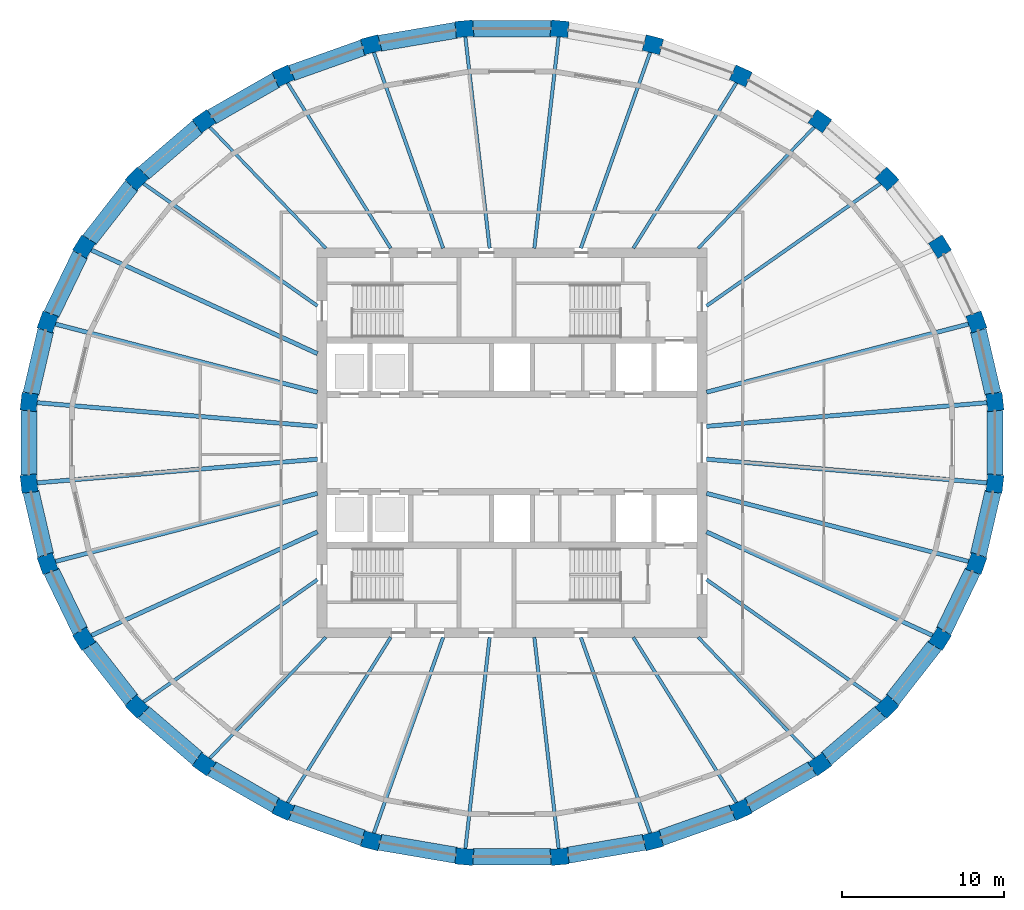
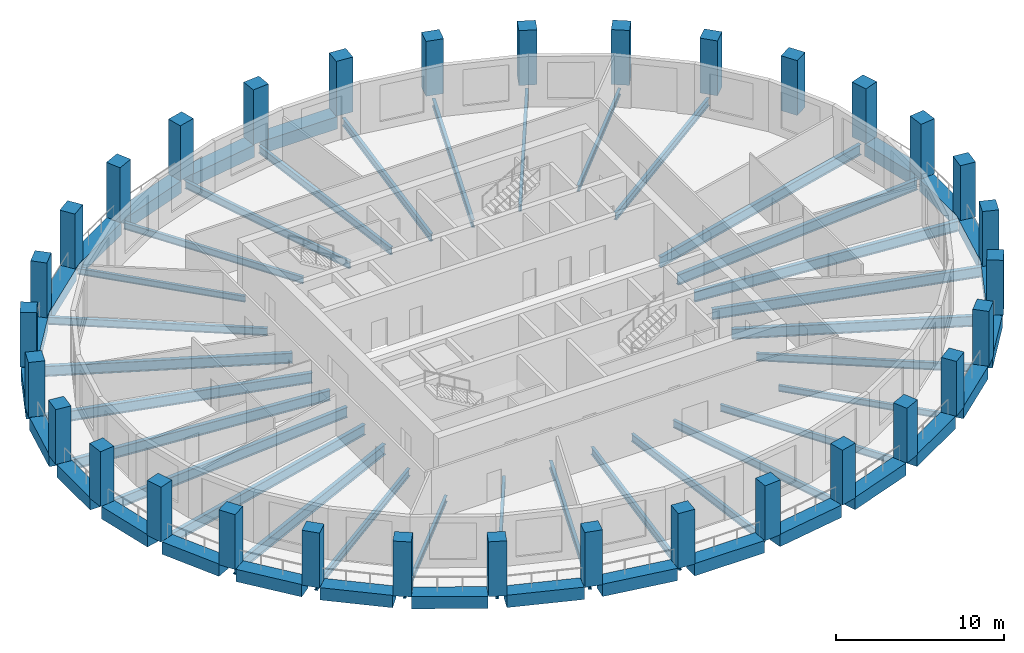
# One storey, part 1 of 10: 57 beams, 32 columns.
"""IFC4 building model written with IfcOpenShell, lengths in metres."""

from ifc_helpers import new_model, si_unit, direction, frame, origin, origin_2d, place, context, subcontext, project, spatial, rectangle, i_section, extrude, material, material_profile, profile_set, type_object, element, save


model = new_model("IFC4")

# Units and contexts
model_context = context("Model", 3, precision=1e-05, world=origin(), true_north=direction((0.0, 1.0)))
body_context = subcontext(model_context, "Body", "Model", "MODEL_VIEW")
ifc_project = project(units=[si_unit("LENGTHUNIT", "METRE"), si_unit("AREAUNIT", "SQUARE_METRE"), si_unit("VOLUMEUNIT", "CUBIC_METRE"), si_unit("PLANEANGLEUNIT", "RADIAN"), si_unit("MASSUNIT", "GRAM", prefix="KILO")], contexts=[model_context])

# Site, building, storey
site_placement = place(None, origin())
site = spatial("IfcSite", under=ifc_project, at=site_placement, CompositionType="ELEMENT")
building_placement = place(site_placement, origin())
building = spatial("IfcBuilding", under=site, at=building_placement, Name="Halqa Exchange Tower", CompositionType="ELEMENT")
storey_placement = place(building_placement, frame((0.0, 0.0, 268.300048828125)))
storey = spatial("IfcBuildingStorey", under=building, at=storey_placement, Name="L62", CompositionType="ELEMENT", Elevation=268.300048828125)

# Columns
ifc_material_1 = material(Name="Concrete C60/75", Category="concrete")
ifc_material_profile_1 = material_profile(ifc_material_1, rectangle(XDim=1.10009765625, YDim=1.0, at=origin_2d()), Name="1100 x 1000")
ifc_profile_set_1 = profile_set([ifc_material_profile_1], Name="Concrete C60/75")
column_type = type_object("IfcColumnType", Name="RC ring column 1100 x 1000 C60/75", PredefinedType="COLUMN", material=ifc_profile_set_1)
for number, where, z_axis, x_axis, name in (
    (1, (29.724609375, 2.509521484375, 0.0), (0.0, 0.0, 1.0), (-0.114155188058, 0.993462929877, 0.0), "Ring column 1"),
    (2, (28.582275390625, 7.431640625, 0.0), (0.0, 0.0, 1.0), (-0.33362752424, 0.942704977747, 0.0), "Ring column 2"),
    (3, (26.341552734375, 12.068603515625, 0.0), (0.0, 0.0, 1.0), (-0.529141977228, 0.848533303964, 0.0), "Ring column 3"),
    (4, (23.088623046875, 16.241455078125, 0.0), (0.0, 0.0, 1.0), (-0.69157987326, 0.722299992317, 0.0), "Ring column 4"),
    (5, (18.9482421875, 19.790283203125, 0.0), (0.0, 0.0, 1.0), (-0.817906779671, 0.575350762377, 0.0), "Ring column 5"),
    (6, (14.079833984375, 22.57861328125, 0.0), (0.0, 0.0, 1.0), (-0.909127095833, 0.416518815449, 0.0), "Ring column 6"),
    (7, (8.67041015625, 24.4990234375, 0.0), (0.0, 0.0, 1.0), (-0.967820381973, 0.251642023988, 0.0), "Ring column 7"),
    (8, (2.927490234375, 25.478271484375, 0.0), (0.0, 0.0, 1.0), (-0.996455518985, 0.084121333105, 0.0), "Ring column 8"),
    (9, (-2.927490234375, 25.478271484375, 0.0), (0.0, 0.0, 1.0), (-0.996455518985, -0.084121333105, 0.0), "Ring column 9"),
    (10, (-8.67041015625, 24.4990234375, 0.0), (0.0, 0.0, 1.0), (-0.967820381973, -0.251642023988, 0.0), "Ring column 10"),
    (11, (-14.079833984375, 22.57861328125, 0.0), (0.0, 0.0, 1.0), (-0.909127095833, -0.416518815449, 0.0), "Ring column 11"),
    (12, (-18.9482421875, 19.790283203125, 0.0), (0.0, 0.0, 1.0), (-0.817906779671, -0.575350762377, 0.0), "Ring column 12"),
    (13, (-23.088623046875, 16.241455078125, 0.0), (0.0, 0.0, 1.0), (-0.69157987326, -0.722299992317, 0.0), "Ring column 13"),
    (14, (-26.341552734375, 12.068603515625, 0.0), (0.0, 0.0, 1.0), (-0.529141977228, -0.848533303964, 0.0), "Ring column 14"),
    (15, (-28.582275390625, 7.431640625, 0.0), (0.0, 0.0, 1.0), (-0.33362752424, -0.942704977747, 0.0), "Ring column 15"),
    (16, (-29.724609375, 2.509521484375, 0.0), (0.0, 0.0, 1.0), (-0.114155188058, -0.993462929877, 0.0), "Ring column 16"),
    (17, (-29.724609375, -2.509521484375, 0.0), (0.0, 0.0, 1.0), (0.114155188058, -0.993462929877, 0.0), "Ring column 17"),
    (18, (-28.582275390625, -7.431640625, 0.0), (0.0, 0.0, 1.0), (0.33362752424, -0.942704977747, 0.0), "Ring column 18"),
    (19, (-26.341552734375, -12.068603515625, 0.0), (0.0, 0.0, 1.0), (0.529141977228, -0.848533303964, 0.0), "Ring column 19"),
    (20, (-23.088623046875, -16.241455078125, 0.0), (0.0, 0.0, 1.0), (0.69157987326, -0.722299992317, 0.0), "Ring column 20"),
    (21, (-18.9482421875, -19.790283203125, 0.0), (0.0, 0.0, 1.0), (0.817906779671, -0.575350762377, 0.0), "Ring column 21"),
    (22, (-14.079833984375, -22.57861328125, 0.0), (0.0, 0.0, 1.0), (0.909127095833, -0.416518815449, 0.0), "Ring column 22"),
    (23, (-8.67041015625, -24.4990234375, 0.0), (0.0, 0.0, 1.0), (0.967820381973, -0.251642023988, 0.0), "Ring column 23"),
    (24, (-2.927490234375, -25.478271484375, 0.0), (0.0, 0.0, 1.0), (0.996455518985, -0.084121333105, 0.0), "Ring column 24"),
    (25, (2.927490234375, -25.478271484375, 0.0), (0.0, 0.0, 1.0), (0.996455518985, 0.084121333105, 0.0), "Ring column 25"),
    (26, (8.67041015625, -24.4990234375, 0.0), (0.0, 0.0, 1.0), (0.967820381973, 0.251642023988, 0.0), "Ring column 26"),
    (27, (14.079833984375, -22.57861328125, 0.0), (0.0, 0.0, 1.0), (0.909127095833, 0.416518815449, 0.0), "Ring column 27"),
    (28, (18.9482421875, -19.790283203125, 0.0), (0.0, 0.0, 1.0), (0.817906779671, 0.575350762377, 0.0), "Ring column 28"),
    (29, (23.088623046875, -16.241455078125, 0.0), (0.0, 0.0, 1.0), (0.69157987326, 0.722299992317, 0.0), "Ring column 29"),
    (30, (26.341552734375, -12.068603515625, 0.0), (0.0, 0.0, 1.0), (0.529141977228, 0.848533303964, 0.0), "Ring column 30"),
    (31, (28.582275390625, -7.431640625, 0.0), (0.0, 0.0, 1.0), (0.33362752424, 0.942704977747, 0.0), "Ring column 31"),
    (32, (29.724609375, -2.509521484375, 0.0), (0.0, 0.0, 1.0), (0.114155188058, 0.993462929877, 0.0), "Ring column 32"),
):
    element("IfcColumn", number, at=place(storey_placement, frame(where, z_axis=z_axis, x_axis=x_axis)), inside=storey, type_object=column_type, Name=name, PredefinedType="COLUMN", context=body_context, shape_type="SweptSolid", body=[
        extrude(rectangle(XDim=1.10009765625, YDim=1.0, at=origin_2d()), origin(), (0.0, 0.0, 1.0), 4.0),
    ])

# Beams
ifc_material_2 = material(Name="Steel S355", Category="steel")
ifc_material_profile_2 = material_profile(ifc_material_2, i_section(OverallWidth=0.18994140625, OverallDepth=0.449951171875, WebThickness=0.009521484375, FlangeThickness=0.0146484375, FilletRadius=0.02099609375, at=origin_2d()), Name="IPE 450")
ifc_profile_set_2 = profile_set([ifc_material_profile_2], Name="Steel S355")
beam_type_1 = type_object("IfcBeamType", Name="Floor beam IPE 450", PredefinedType="BEAM", material=ifc_profile_set_2)
for number, where, z_axis, x_axis, name in (
    (33, (11.462890625, 11.97216796875, -0.525146484375), (0.6915753901, 0.722304284778, 0.0), (-0.722304284778, 0.6915753901, 0.0), "Radial beam 5"),
    (34, (-11.462890625, 11.97216796875, -0.525146484375), (-0.6915753901, 0.722304284778, 0.0), (-0.722304284778, -0.6915753901, 0.0), "Radial beam 12"),
    (35, (-11.462890625, -11.97216796875, -0.525146484375), (-0.6915753901, -0.722304284778, 0.0), (0.722304284778, -0.6915753901, 0.0), "Radial beam 21"),
    (36, (11.462890625, -11.97216796875, -0.525146484375), (0.6915753901, -0.722304284778, 0.0), (0.722304284778, 0.6915753901, 0.0), "Radial beam 28"),
):
    element("IfcBeam", number, at=place(storey_placement, frame(where, z_axis=z_axis, x_axis=x_axis)), inside=storey, type_object=beam_type_1, Name=name, PredefinedType="BEAM", context=body_context, shape_type="SweptSolid", body=[
        extrude(i_section(OverallWidth=0.18994140625, OverallDepth=0.449951171875, WebThickness=0.009521484375, FlangeThickness=0.0146484375, FilletRadius=0.02099609375, at=origin_2d()), origin(), (0.0, 0.0, 1.0), 10.44775390625),
    ])
ifc_material_profile_3 = material_profile(ifc_material_2, i_section(OverallWidth=0.199951171875, OverallDepth=0.5, WebThickness=0.01025390625, FlangeThickness=0.01611328125, FilletRadius=0.02099609375, at=origin_2d()), Name="IPE 500")
ifc_profile_set_3 = profile_set([ifc_material_profile_3], Name="Steel S355")
beam_type_2 = type_object("IfcBeamType", Name="Floor beam IPE 500", PredefinedType="BEAM", material=ifc_profile_set_3)
for number, where, z_axis, x_axis, name in (
    (37, (7.4658203125, 11.97216796875, -0.550048828125), (0.529135237944, 0.848537506517, 0.0), (-0.848537506517, 0.529135237944, 0.0), "Radial beam 6"),
    (38, (-7.4658203125, 11.97216796875, -0.550048828125), (-0.529135237944, 0.848537506517, 0.0), (-0.848537506517, -0.529135237944, 0.0), "Radial beam 11"),
    (39, (-7.4658203125, -11.97216796875, -0.550048828125), (-0.529135237944, -0.848537506517, 0.0), (0.848537506517, -0.529135237944, 0.0), "Radial beam 22"),
    (40, (7.4658203125, -11.97216796875, -0.550048828125), (0.529135237944, -0.848537506517, 0.0), (0.848537506517, 0.529135237944, 0.0), "Radial beam 27"),
):
    element("IfcBeam", number, at=place(storey_placement, frame(where, z_axis=z_axis, x_axis=x_axis)), inside=storey, type_object=beam_type_2, Name=name, PredefinedType="BEAM", context=body_context, shape_type="SweptSolid", body=[
        extrude(i_section(OverallWidth=0.199951171875, OverallDepth=0.5, WebThickness=0.01025390625, FlangeThickness=0.01611328125, FilletRadius=0.02099609375, at=origin_2d()), origin(), (0.0, 0.0, 1.0), 12.12353515625),
    ])
ifc_material_profile_4 = material_profile(ifc_material_2, i_section(OverallWidth=0.2099609375, OverallDepth=0.550048828125, WebThickness=0.010986328125, FlangeThickness=0.01708984375, FilletRadius=0.02392578125, at=origin_2d()), Name="IPE 550")
ifc_profile_set_4 = profile_set([ifc_material_profile_4], Name="Steel S355")
beam_type_3 = type_object("IfcBeamType", Name="Floor beam IPE 550", PredefinedType="BEAM", material=ifc_profile_set_4)
beam_1_placement = place(storey_placement, frame((11.97265625, 8.422119140625, -0.574951171875), z_axis=(0.81790784974, 0.575349241187, 0.0), x_axis=(-0.575349241187, 0.81790784974, 0.0)))
element("IfcBeam", 41, at=beam_1_placement, inside=storey, type_object=beam_type_3, Name="Radial beam 4", PredefinedType="BEAM", context=body_context, shape_type="SweptSolid", body=[
    extrude(i_section(OverallWidth=0.2099609375, OverallDepth=0.550048828125, WebThickness=0.010986328125, FlangeThickness=0.01708984375, FilletRadius=0.02392578125, at=origin_2d()), origin(), (0.0, 0.0, 1.0), 13.214599609375),
])
beam_2_placement = place(storey_placement, frame((4.23681640625, 11.971923828125, -0.574951171875), z_axis=(0.333624916915, 0.942705900487, 0.0), x_axis=(-0.942705900487, 0.333624916915, 0.0)))
element("IfcBeam", 42, at=beam_2_placement, inside=storey, type_object=beam_type_3, Name="Radial beam 7", PredefinedType="BEAM", context=body_context, shape_type="SweptSolid", body=[
    extrude(i_section(OverallWidth=0.2099609375, OverallDepth=0.550048828125, WebThickness=0.010986328125, FlangeThickness=0.01708984375, FilletRadius=0.02392578125, at=origin_2d()), origin(), (0.0, 0.0, 1.0), 12.91455078125),
])
for number, where, z_axis, x_axis, name in (
    (43, (1.37548828125, 11.9716796875, -0.574951171875), (0.114155275755, 0.9934629198, 0.0), (-0.9934629198, 0.114155275755, 0.0), "Radial beam 8"),
    (44, (-1.37548828125, 11.9716796875, -0.574951171875), (-0.114155275755, 0.9934629198, 0.0), (-0.9934629198, -0.114155275755, 0.0), "Radial beam 9"),
):
    element("IfcBeam", number, at=place(storey_placement, frame(where, z_axis=z_axis, x_axis=x_axis)), inside=storey, type_object=beam_type_3, Name=name, PredefinedType="BEAM", context=body_context, shape_type="SweptSolid", body=[
        extrude(i_section(OverallWidth=0.2099609375, OverallDepth=0.550048828125, WebThickness=0.010986328125, FlangeThickness=0.01708984375, FilletRadius=0.02392578125, at=origin_2d()), origin(), (0.0, 0.0, 1.0), 13.223388671875),
    ])
beam_3_placement = place(storey_placement, frame((-4.23681640625, 11.971923828125, -0.574951171875), z_axis=(-0.333624916915, 0.942705900487, 0.0), x_axis=(-0.942705900487, -0.333624916915, 0.0)))
element("IfcBeam", 45, at=beam_3_placement, inside=storey, type_object=beam_type_3, Name="Radial beam 10", PredefinedType="BEAM", context=body_context, shape_type="SweptSolid", body=[
    extrude(i_section(OverallWidth=0.2099609375, OverallDepth=0.550048828125, WebThickness=0.010986328125, FlangeThickness=0.01708984375, FilletRadius=0.02392578125, at=origin_2d()), origin(), (0.0, 0.0, 1.0), 12.91455078125),
])
for number, where, z_axis, x_axis, name in (
    (46, (-11.97265625, 8.422119140625, -0.574951171875), (-0.81790784974, 0.575349241187, 0.0), (-0.575349241187, -0.81790784974, 0.0), "Radial beam 13"),
    (47, (-11.97265625, -8.422119140625, -0.574951171875), (-0.81790784974, -0.575349241187, 0.0), (0.575349241187, -0.81790784974, 0.0), "Radial beam 20"),
):
    element("IfcBeam", number, at=place(storey_placement, frame(where, z_axis=z_axis, x_axis=x_axis)), inside=storey, type_object=beam_type_3, Name=name, PredefinedType="BEAM", context=body_context, shape_type="SweptSolid", body=[
        extrude(i_section(OverallWidth=0.2099609375, OverallDepth=0.550048828125, WebThickness=0.010986328125, FlangeThickness=0.01708984375, FilletRadius=0.02392578125, at=origin_2d()), origin(), (0.0, 0.0, 1.0), 13.214599609375),
    ])
beam_4_placement = place(storey_placement, frame((-4.23681640625, -11.971923828125, -0.574951171875), z_axis=(-0.333624916915, -0.942705900487, 0.0), x_axis=(0.942705900487, -0.333624916915, 0.0)))
element("IfcBeam", 48, at=beam_4_placement, inside=storey, type_object=beam_type_3, Name="Radial beam 23", PredefinedType="BEAM", context=body_context, shape_type="SweptSolid", body=[
    extrude(i_section(OverallWidth=0.2099609375, OverallDepth=0.550048828125, WebThickness=0.010986328125, FlangeThickness=0.01708984375, FilletRadius=0.02392578125, at=origin_2d()), origin(), (0.0, 0.0, 1.0), 12.91455078125),
])
for number, where, z_axis, x_axis, name in (
    (49, (-1.37548828125, -11.9716796875, -0.574951171875), (-0.114155275755, -0.9934629198, 0.0), (0.9934629198, -0.114155275755, 0.0), "Radial beam 24"),
    (50, (1.37548828125, -11.9716796875, -0.574951171875), (0.114155275755, -0.9934629198, 0.0), (0.9934629198, 0.114155275755, 0.0), "Radial beam 25"),
):
    element("IfcBeam", number, at=place(storey_placement, frame(where, z_axis=z_axis, x_axis=x_axis)), inside=storey, type_object=beam_type_3, Name=name, PredefinedType="BEAM", context=body_context, shape_type="SweptSolid", body=[
        extrude(i_section(OverallWidth=0.2099609375, OverallDepth=0.550048828125, WebThickness=0.010986328125, FlangeThickness=0.01708984375, FilletRadius=0.02392578125, at=origin_2d()), origin(), (0.0, 0.0, 1.0), 13.223388671875),
    ])
beam_5_placement = place(storey_placement, frame((4.23681640625, -11.971923828125, -0.574951171875), z_axis=(0.333624916915, -0.942705900487, 0.0), x_axis=(0.942705900487, 0.333624916915, 0.0)))
element("IfcBeam", 51, at=beam_5_placement, inside=storey, type_object=beam_type_3, Name="Radial beam 26", PredefinedType="BEAM", context=body_context, shape_type="SweptSolid", body=[
    extrude(i_section(OverallWidth=0.2099609375, OverallDepth=0.550048828125, WebThickness=0.010986328125, FlangeThickness=0.01708984375, FilletRadius=0.02392578125, at=origin_2d()), origin(), (0.0, 0.0, 1.0), 12.91455078125),
])
beam_6_placement = place(storey_placement, frame((11.97265625, -8.422119140625, -0.574951171875), z_axis=(0.81790784974, -0.575349241187, 0.0), x_axis=(0.575349241187, 0.81790784974, 0.0)))
element("IfcBeam", 52, at=beam_6_placement, inside=storey, type_object=beam_type_3, Name="Radial beam 29", PredefinedType="BEAM", context=body_context, shape_type="SweptSolid", body=[
    extrude(i_section(OverallWidth=0.2099609375, OverallDepth=0.550048828125, WebThickness=0.010986328125, FlangeThickness=0.01708984375, FilletRadius=0.02392578125, at=origin_2d()), origin(), (0.0, 0.0, 1.0), 13.214599609375),
])
ifc_material_profile_5 = material_profile(ifc_material_2, i_section(OverallWidth=0.264892578125, OverallDepth=0.7529296875, WebThickness=0.01318359375, FlangeThickness=0.01708984375, FilletRadius=0.01708984375, at=origin_2d()), Name="IPE 750x147")
ifc_profile_set_5 = profile_set([ifc_material_profile_5], Name="Steel S355")
beam_type_4 = type_object("IfcBeamType", Name="Floor beam IPE 750x147", PredefinedType="BEAM", material=ifc_profile_set_5)
beam_7_placement = place(storey_placement, frame((11.972900390625, 1.0107421875, -0.676513671875), z_axis=(0.996455698419, 0.084119207612, 0.0), x_axis=(-0.084119207612, 0.996455698419, 0.0)))
element("IfcBeam", 53, at=beam_7_placement, inside=storey, type_object=beam_type_4, Name="Radial beam 1", PredefinedType="BEAM", context=body_context, shape_type="SweptSolid", body=[
    extrude(i_section(OverallWidth=0.264892578125, OverallDepth=0.7529296875, WebThickness=0.01318359375, FlangeThickness=0.01708984375, FilletRadius=0.01708984375, at=origin_2d()), origin(), (0.0, 0.0, 1.0), 17.44287109375),
])
beam_8_placement = place(storey_placement, frame((11.97265625, 3.113037109375, -0.676513671875), z_axis=(0.967818965, 0.251647473634, 0.0), x_axis=(-0.251647473634, 0.967818965, 0.0)))
element("IfcBeam", 54, at=beam_8_placement, inside=storey, type_object=beam_type_4, Name="Radial beam 2", PredefinedType="BEAM", context=body_context, shape_type="SweptSolid", body=[
    extrude(i_section(OverallWidth=0.264892578125, OverallDepth=0.7529296875, WebThickness=0.01318359375, FlangeThickness=0.01708984375, FilletRadius=0.01708984375, at=origin_2d()), origin(), (0.0, 0.0, 1.0), 16.787841796875),
])
beam_9_placement = place(storey_placement, frame((-11.972412109375, 5.485107421875, -0.676513671875), z_axis=(-0.909124745555, 0.416523945314, 0.0), x_axis=(-0.416523945314, -0.909124745555, 0.0)))
element("IfcBeam", 55, at=beam_9_placement, inside=storey, type_object=beam_type_4, Name="Radial beam 14", PredefinedType="BEAM", context=body_context, shape_type="SweptSolid", body=[
    extrude(i_section(OverallWidth=0.264892578125, OverallDepth=0.7529296875, WebThickness=0.01318359375, FlangeThickness=0.01708984375, FilletRadius=0.01708984375, at=origin_2d()), origin(), (0.0, 0.0, 1.0), 15.429443359375),
])
beam_10_placement = place(storey_placement, frame((-11.97265625, 3.113037109375, -0.676513671875), z_axis=(-0.967818965, 0.251647473634, 0.0), x_axis=(-0.251647473634, -0.967818965, 0.0)))
element("IfcBeam", 56, at=beam_10_placement, inside=storey, type_object=beam_type_4, Name="Radial beam 15", PredefinedType="BEAM", context=body_context, shape_type="SweptSolid", body=[
    extrude(i_section(OverallWidth=0.264892578125, OverallDepth=0.7529296875, WebThickness=0.01318359375, FlangeThickness=0.01708984375, FilletRadius=0.01708984375, at=origin_2d()), origin(), (0.0, 0.0, 1.0), 16.787841796875),
])
for number, where, z_axis, x_axis, name in (
    (57, (-11.972900390625, 1.0107421875, -0.676513671875), (-0.996455698419, 0.084119207612, 0.0), (-0.084119207612, -0.996455698419, 0.0), "Radial beam 16"),
    (58, (-11.972900390625, -1.0107421875, -0.676513671875), (-0.996455698419, -0.084119207612, 0.0), (0.084119207612, -0.996455698419, 0.0), "Radial beam 17"),
):
    element("IfcBeam", number, at=place(storey_placement, frame(where, z_axis=z_axis, x_axis=x_axis)), inside=storey, type_object=beam_type_4, Name=name, PredefinedType="BEAM", context=body_context, shape_type="SweptSolid", body=[
        extrude(i_section(OverallWidth=0.264892578125, OverallDepth=0.7529296875, WebThickness=0.01318359375, FlangeThickness=0.01708984375, FilletRadius=0.01708984375, at=origin_2d()), origin(), (0.0, 0.0, 1.0), 17.44287109375),
    ])
beam_11_placement = place(storey_placement, frame((-11.97265625, -3.113037109375, -0.676513671875), z_axis=(-0.967818965, -0.251647473634, 0.0), x_axis=(0.251647473634, -0.967818965, 0.0)))
element("IfcBeam", 59, at=beam_11_placement, inside=storey, type_object=beam_type_4, Name="Radial beam 18", PredefinedType="BEAM", context=body_context, shape_type="SweptSolid", body=[
    extrude(i_section(OverallWidth=0.264892578125, OverallDepth=0.7529296875, WebThickness=0.01318359375, FlangeThickness=0.01708984375, FilletRadius=0.01708984375, at=origin_2d()), origin(), (0.0, 0.0, 1.0), 16.787841796875),
])
for number, where, z_axis, x_axis, name in (
    (60, (-11.972412109375, -5.485107421875, -0.676513671875), (-0.909124745555, -0.416523945314, 0.0), (0.416523945314, -0.909124745555, 0.0), "Radial beam 19"),
    (61, (11.972412109375, -5.485107421875, -0.676513671875), (0.909124745555, -0.416523945314, 0.0), (0.416523945314, 0.909124745555, 0.0), "Radial beam 30"),
):
    element("IfcBeam", number, at=place(storey_placement, frame(where, z_axis=z_axis, x_axis=x_axis)), inside=storey, type_object=beam_type_4, Name=name, PredefinedType="BEAM", context=body_context, shape_type="SweptSolid", body=[
        extrude(i_section(OverallWidth=0.264892578125, OverallDepth=0.7529296875, WebThickness=0.01318359375, FlangeThickness=0.01708984375, FilletRadius=0.01708984375, at=origin_2d()), origin(), (0.0, 0.0, 1.0), 15.429443359375),
    ])
beam_12_placement = place(storey_placement, frame((11.97265625, -3.113037109375, -0.676513671875), z_axis=(0.967818965, -0.251647473634, 0.0), x_axis=(0.251647473634, 0.967818965, 0.0)))
element("IfcBeam", 62, at=beam_12_placement, inside=storey, type_object=beam_type_4, Name="Radial beam 31", PredefinedType="BEAM", context=body_context, shape_type="SweptSolid", body=[
    extrude(i_section(OverallWidth=0.264892578125, OverallDepth=0.7529296875, WebThickness=0.01318359375, FlangeThickness=0.01708984375, FilletRadius=0.01708984375, at=origin_2d()), origin(), (0.0, 0.0, 1.0), 16.787841796875),
])
beam_13_placement = place(storey_placement, frame((11.972900390625, -1.0107421875, -0.676513671875), z_axis=(0.996455698419, -0.084119207612, 0.0), x_axis=(0.084119207612, 0.996455698419, 0.0)))
element("IfcBeam", 63, at=beam_13_placement, inside=storey, type_object=beam_type_4, Name="Radial beam 32", PredefinedType="BEAM", context=body_context, shape_type="SweptSolid", body=[
    extrude(i_section(OverallWidth=0.264892578125, OverallDepth=0.7529296875, WebThickness=0.01318359375, FlangeThickness=0.01708984375, FilletRadius=0.01708984375, at=origin_2d()), origin(), (0.0, 0.0, 1.0), 17.44287109375),
])
ifc_material_profile_6 = material_profile(ifc_material_1, rectangle(XDim=1.0, YDim=0.89990234375, at=origin_2d()), Name="1000 x 900")
ifc_profile_set_6 = profile_set([ifc_material_profile_6], Name="Concrete C60/75")
beam_type_5 = type_object("IfcBeamType", Name="RC spandrel beam 1000 x 900 C60/75", PredefinedType="SPANDREL", material=ifc_profile_set_6)
beam_14_placement = place(storey_placement, frame((29.60595703125, 3.0205078125, -0.449951171875), z_axis=(-0.226066657828, 0.974111834554, 0.0), x_axis=(-0.974111834554, -0.226066657828, 0.0)))
element("IfcBeam", 64, at=beam_14_placement, inside=storey, type_object=beam_type_5, Name="Spandrel 1", PredefinedType="SPANDREL", context=body_context, shape_type="SweptSolid", body=[
    extrude(rectangle(XDim=1.0, YDim=0.89990234375, at=origin_2d()), origin(), (0.0, 0.0, 1.0), 4.002197265625),
])
beam_15_placement = place(storey_placement, frame((2.40380859375, 25.478271484375, -0.449951171875), z_axis=(-1.0, 0.0, 0.0), x_axis=(0.0, -1.0, 0.0)))
element("IfcBeam", 65, at=beam_15_placement, inside=storey, type_object=beam_type_5, Name="Spandrel 8", PredefinedType="SPANDREL", context=body_context, shape_type="SweptSolid", body=[
    extrude(rectangle(XDim=1.0, YDim=0.89990234375, at=origin_2d()), origin(), (0.0, 0.0, 1.0), 4.8076171875),
])
beam_16_placement = place(storey_placement, frame((-3.444091796875, 25.39013671875, -0.449951171875), z_axis=(-0.985773827322, -0.168077248215, 0.0), x_axis=(0.168077248215, -0.985773827322, 0.0)))
element("IfcBeam", 66, at=beam_16_placement, inside=storey, type_object=beam_type_5, Name="Spandrel 9", PredefinedType="SPANDREL", context=body_context, shape_type="SweptSolid", body=[
    extrude(rectangle(XDim=1.0, YDim=0.89990234375, at=origin_2d()), origin(), (0.0, 0.0, 1.0), 4.77734375),
])
beam_17_placement = place(storey_placement, frame((-9.164794921875, 24.323486328125, -0.449951171875), z_axis=(-0.942370071958, -0.334572335194, 0.0), x_axis=(0.334572335194, -0.942370071958, 0.0)))
element("IfcBeam", 67, at=beam_17_placement, inside=storey, type_object=beam_type_5, Name="Spandrel 10", PredefinedType="SPANDREL", context=body_context, shape_type="SweptSolid", body=[
    extrude(rectangle(XDim=1.0, YDim=0.89990234375, at=origin_2d()), origin(), (0.0, 0.0, 1.0), 4.692138671875),
])
beam_18_placement = place(storey_placement, frame((-14.53515625, 22.31787109375, -0.449951171875), z_axis=(-0.867728942601, -0.497037706992, 0.0), x_axis=(0.497037706992, -0.867728942601, 0.0)))
element("IfcBeam", 68, at=beam_18_placement, inside=storey, type_object=beam_type_5, Name="Spandrel 11", PredefinedType="SPANDREL", context=body_context, shape_type="SweptSolid", body=[
    extrude(rectangle(XDim=1.0, YDim=0.89990234375, at=origin_2d()), origin(), (0.0, 0.0, 1.0), 4.562255859375),
])
beam_19_placement = place(storey_placement, frame((-19.3466796875, 19.44873046875, -0.449951171875), z_axis=(-0.759264428132, -0.650782243284, 0.0), x_axis=(0.650782243284, -0.759264428132, 0.0)))
element("IfcBeam", 69, at=beam_19_placement, inside=storey, type_object=beam_type_5, Name="Spandrel 12", PredefinedType="SPANDREL", context=body_context, shape_type="SweptSolid", body=[
    extrude(rectangle(XDim=1.0, YDim=0.89990234375, at=origin_2d()), origin(), (0.0, 0.0, 1.0), 4.404296875),
])
beam_20_placement = place(storey_placement, frame((-23.41162109375, 15.826904296875, -0.449951171875), z_axis=(-0.614844941027, -0.788648019394, 0.0), x_axis=(0.788648019394, -0.614844941027, 0.0)))
element("IfcBeam", 70, at=beam_20_placement, inside=storey, type_object=beam_type_5, Name="Spandrel 13", PredefinedType="SPANDREL", context=body_context, shape_type="SweptSolid", body=[
    extrude(rectangle(XDim=1.0, YDim=0.89990234375, at=origin_2d()), origin(), (0.0, 0.0, 1.0), 4.24072265625),
])
beam_21_placement = place(storey_placement, frame((-26.570556640625, 11.594970703125, -0.449951171875), z_axis=(-0.43506886732, -0.90039717941, 0.0), x_axis=(0.90039717941, -0.43506886732, 0.0)))
element("IfcBeam", 71, at=beam_21_placement, inside=storey, type_object=beam_type_5, Name="Spandrel 14", PredefinedType="SPANDREL", context=body_context, shape_type="SweptSolid", body=[
    extrude(rectangle(XDim=1.0, YDim=0.89990234375, at=origin_2d()), origin(), (0.0, 0.0, 1.0), 4.0986328125),
])
beam_22_placement = place(storey_placement, frame((-28.701171875, 6.919189453125, -0.449951171875), z_axis=(-0.226066657828, -0.974111834554, 0.0), x_axis=(0.974111834554, -0.226066657828, 0.0)))
element("IfcBeam", 72, at=beam_22_placement, inside=storey, type_object=beam_type_5, Name="Spandrel 15", PredefinedType="SPANDREL", context=body_context, shape_type="SweptSolid", body=[
    extrude(rectangle(XDim=1.0, YDim=0.89990234375, at=origin_2d()), origin(), (0.0, 0.0, 1.0), 4.002197265625),
])
beam_23_placement = place(storey_placement, frame((-29.724609375, 1.984375, -0.449951171875), z_axis=(0.0, -1.0, 0.0), x_axis=(1.0, 0.0, 0.0)))
element("IfcBeam", 73, at=beam_23_placement, inside=storey, type_object=beam_type_5, Name="Spandrel 16", PredefinedType="SPANDREL", context=body_context, shape_type="SweptSolid", body=[
    extrude(rectangle(XDim=1.0, YDim=0.89990234375, at=origin_2d()), origin(), (0.0, 0.0, 1.0), 3.96875),
])
beam_24_placement = place(storey_placement, frame((-29.60595703125, -3.0205078125, -0.449951171875), z_axis=(0.226066657828, -0.974111834554, 0.0), x_axis=(0.974111834554, 0.226066657828, 0.0)))
element("IfcBeam", 74, at=beam_24_placement, inside=storey, type_object=beam_type_5, Name="Spandrel 17", PredefinedType="SPANDREL", context=body_context, shape_type="SweptSolid", body=[
    extrude(rectangle(XDim=1.0, YDim=0.89990234375, at=origin_2d()), origin(), (0.0, 0.0, 1.0), 4.002197265625),
])
beam_25_placement = place(storey_placement, frame((-28.353759765625, -7.904541015625, -0.449951171875), z_axis=(0.43506886732, -0.90039717941, 0.0), x_axis=(0.90039717941, 0.43506886732, 0.0)))
element("IfcBeam", 75, at=beam_25_placement, inside=storey, type_object=beam_type_5, Name="Spandrel 18", PredefinedType="SPANDREL", context=body_context, shape_type="SweptSolid", body=[
    extrude(rectangle(XDim=1.0, YDim=0.89990234375, at=origin_2d()), origin(), (0.0, 0.0, 1.0), 4.0986328125),
])
beam_26_placement = place(storey_placement, frame((-26.01904296875, -12.482421875, -0.449951171875), z_axis=(0.614844941027, -0.788648019394, 0.0), x_axis=(0.788648019394, 0.614844941027, 0.0)))
element("IfcBeam", 76, at=beam_26_placement, inside=storey, type_object=beam_type_5, Name="Spandrel 19", PredefinedType="SPANDREL", context=body_context, shape_type="SweptSolid", body=[
    extrude(rectangle(XDim=1.0, YDim=0.89990234375, at=origin_2d()), origin(), (0.0, 0.0, 1.0), 4.24072265625),
])
beam_27_placement = place(storey_placement, frame((-22.690673828125, -16.58251953125, -0.449951171875), z_axis=(0.759264428132, -0.650782243284, 0.0), x_axis=(0.650782243284, 0.759264428132, 0.0)))
element("IfcBeam", 77, at=beam_27_placement, inside=storey, type_object=beam_type_5, Name="Spandrel 20", PredefinedType="SPANDREL", context=body_context, shape_type="SweptSolid", body=[
    extrude(rectangle(XDim=1.0, YDim=0.89990234375, at=origin_2d()), origin(), (0.0, 0.0, 1.0), 4.404296875),
])
beam_28_placement = place(storey_placement, frame((-18.493896484375, -20.05029296875, -0.449951171875), z_axis=(0.867728942601, -0.497037706992, 0.0), x_axis=(0.497037706992, 0.867728942601, 0.0)))
element("IfcBeam", 78, at=beam_28_placement, inside=storey, type_object=beam_type_5, Name="Spandrel 21", PredefinedType="SPANDREL", context=body_context, shape_type="SweptSolid", body=[
    extrude(rectangle(XDim=1.0, YDim=0.89990234375, at=origin_2d()), origin(), (0.0, 0.0, 1.0), 4.562255859375),
])
beam_29_placement = place(storey_placement, frame((-13.58642578125, -22.753662109375, -0.449951171875), z_axis=(0.942370071958, -0.334572335194, 0.0), x_axis=(0.334572335194, 0.942370071958, 0.0)))
element("IfcBeam", 79, at=beam_29_placement, inside=storey, type_object=beam_type_5, Name="Spandrel 22", PredefinedType="SPANDREL", context=body_context, shape_type="SweptSolid", body=[
    extrude(rectangle(XDim=1.0, YDim=0.89990234375, at=origin_2d()), origin(), (0.0, 0.0, 1.0), 4.692138671875),
])
beam_30_placement = place(storey_placement, frame((-8.153564453125, -24.587158203125, -0.449951171875), z_axis=(0.985773827322, -0.168077248215, 0.0), x_axis=(0.168077248215, 0.985773827322, 0.0)))
element("IfcBeam", 80, at=beam_30_placement, inside=storey, type_object=beam_type_5, Name="Spandrel 23", PredefinedType="SPANDREL", context=body_context, shape_type="SweptSolid", body=[
    extrude(rectangle(XDim=1.0, YDim=0.89990234375, at=origin_2d()), origin(), (0.0, 0.0, 1.0), 4.77734375),
])
beam_31_placement = place(storey_placement, frame((-2.40380859375, -25.478271484375, -0.449951171875), z_axis=(1.0, 0.0, 0.0), x_axis=(0.0, 1.0, 0.0)))
element("IfcBeam", 81, at=beam_31_placement, inside=storey, type_object=beam_type_5, Name="Spandrel 24", PredefinedType="SPANDREL", context=body_context, shape_type="SweptSolid", body=[
    extrude(rectangle(XDim=1.0, YDim=0.89990234375, at=origin_2d()), origin(), (0.0, 0.0, 1.0), 4.8076171875),
])
beam_32_placement = place(storey_placement, frame((3.444091796875, -25.39013671875, -0.449951171875), z_axis=(0.985773827322, 0.168077248215, 0.0), x_axis=(-0.168077248215, 0.985773827322, 0.0)))
element("IfcBeam", 82, at=beam_32_placement, inside=storey, type_object=beam_type_5, Name="Spandrel 25", PredefinedType="SPANDREL", context=body_context, shape_type="SweptSolid", body=[
    extrude(rectangle(XDim=1.0, YDim=0.89990234375, at=origin_2d()), origin(), (0.0, 0.0, 1.0), 4.77734375),
])
beam_33_placement = place(storey_placement, frame((9.164794921875, -24.323486328125, -0.449951171875), z_axis=(0.942370071958, 0.334572335194, 0.0), x_axis=(-0.334572335194, 0.942370071958, 0.0)))
element("IfcBeam", 83, at=beam_33_placement, inside=storey, type_object=beam_type_5, Name="Spandrel 26", PredefinedType="SPANDREL", context=body_context, shape_type="SweptSolid", body=[
    extrude(rectangle(XDim=1.0, YDim=0.89990234375, at=origin_2d()), origin(), (0.0, 0.0, 1.0), 4.692138671875),
])
beam_34_placement = place(storey_placement, frame((14.53515625, -22.31787109375, -0.449951171875), z_axis=(0.867728942601, 0.497037706992, 0.0), x_axis=(-0.497037706992, 0.867728942601, 0.0)))
element("IfcBeam", 84, at=beam_34_placement, inside=storey, type_object=beam_type_5, Name="Spandrel 27", PredefinedType="SPANDREL", context=body_context, shape_type="SweptSolid", body=[
    extrude(rectangle(XDim=1.0, YDim=0.89990234375, at=origin_2d()), origin(), (0.0, 0.0, 1.0), 4.562255859375),
])
beam_35_placement = place(storey_placement, frame((19.3466796875, -19.44873046875, -0.449951171875), z_axis=(0.759264428132, 0.650782243284, 0.0), x_axis=(-0.650782243284, 0.759264428132, 0.0)))
element("IfcBeam", 85, at=beam_35_placement, inside=storey, type_object=beam_type_5, Name="Spandrel 28", PredefinedType="SPANDREL", context=body_context, shape_type="SweptSolid", body=[
    extrude(rectangle(XDim=1.0, YDim=0.89990234375, at=origin_2d()), origin(), (0.0, 0.0, 1.0), 4.404296875),
])
beam_36_placement = place(storey_placement, frame((23.41162109375, -15.826904296875, -0.449951171875), z_axis=(0.614844941027, 0.788648019394, 0.0), x_axis=(-0.788648019394, 0.614844941027, 0.0)))
element("IfcBeam", 86, at=beam_36_placement, inside=storey, type_object=beam_type_5, Name="Spandrel 29", PredefinedType="SPANDREL", context=body_context, shape_type="SweptSolid", body=[
    extrude(rectangle(XDim=1.0, YDim=0.89990234375, at=origin_2d()), origin(), (0.0, 0.0, 1.0), 4.24072265625),
])
beam_37_placement = place(storey_placement, frame((26.570556640625, -11.594970703125, -0.449951171875), z_axis=(0.43506886732, 0.90039717941, 0.0), x_axis=(-0.90039717941, 0.43506886732, 0.0)))
element("IfcBeam", 87, at=beam_37_placement, inside=storey, type_object=beam_type_5, Name="Spandrel 30", PredefinedType="SPANDREL", context=body_context, shape_type="SweptSolid", body=[
    extrude(rectangle(XDim=1.0, YDim=0.89990234375, at=origin_2d()), origin(), (0.0, 0.0, 1.0), 4.0986328125),
])
beam_38_placement = place(storey_placement, frame((28.701171875, -6.919189453125, -0.449951171875), z_axis=(0.226066657828, 0.974111834554, 0.0), x_axis=(-0.974111834554, 0.226066657828, 0.0)))
element("IfcBeam", 88, at=beam_38_placement, inside=storey, type_object=beam_type_5, Name="Spandrel 31", PredefinedType="SPANDREL", context=body_context, shape_type="SweptSolid", body=[
    extrude(rectangle(XDim=1.0, YDim=0.89990234375, at=origin_2d()), origin(), (0.0, 0.0, 1.0), 4.002197265625),
])
beam_39_placement = place(storey_placement, frame((29.724609375, -1.984375, -0.449951171875), z_axis=(0.0, 1.0, 0.0), x_axis=(-1.0, 0.0, 0.0)))
element("IfcBeam", 89, at=beam_39_placement, inside=storey, type_object=beam_type_5, Name="Spandrel 32", PredefinedType="SPANDREL", context=body_context, shape_type="SweptSolid", body=[
    extrude(rectangle(XDim=1.0, YDim=0.89990234375, at=origin_2d()), origin(), (0.0, 0.0, 1.0), 3.96875),
])

save(model, "model.ifc")
